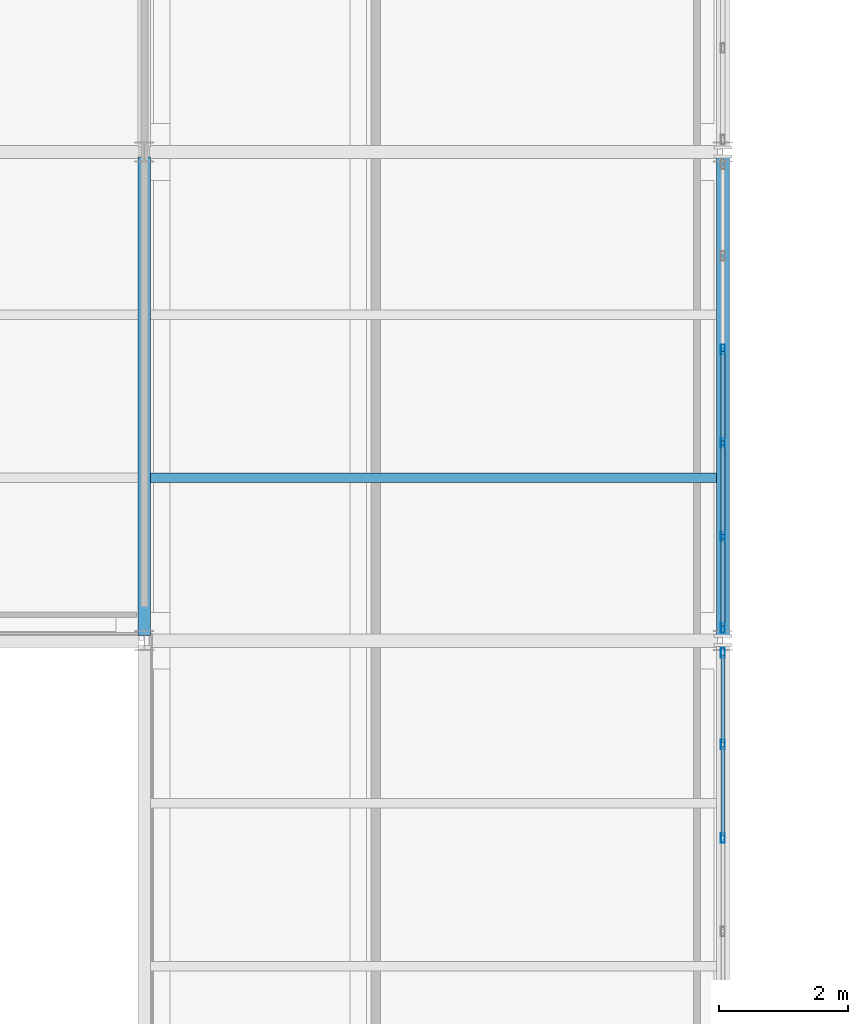
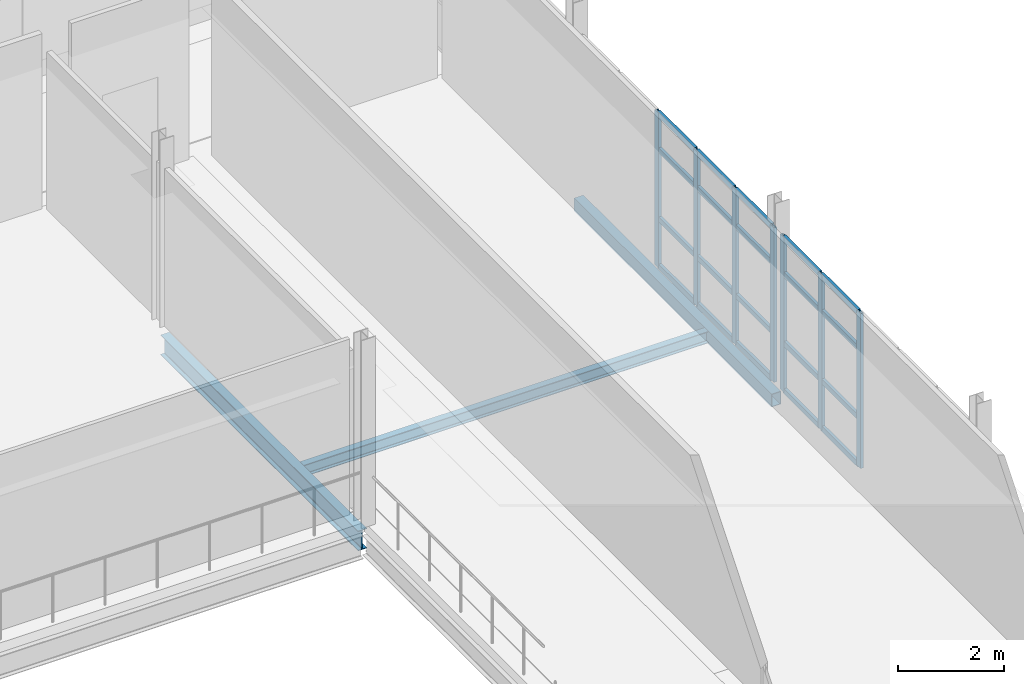
# One storey, part 118 of 166: 27 members, 3 beams, 2 elements without a shape of their own.
"""IFC4 building model written with IfcOpenShell, lengths in metres."""

from ifc_helpers import new_model, si_unit, direction, frame, origin, origin_2d, place, context, subcontext, project, spatial, hollow_rectangle, i_section, extrude, material, material_profile, profile_set, type_object, element, aggregate, save


model = new_model("IFC4")

# Units and contexts
model_context = context("Model", 3, precision=1e-05, world=origin(), true_north=direction((0.0, 1.0)))
body_context = subcontext(model_context, "Body", "Model", "MODEL_VIEW")
ifc_project = project(units=[si_unit("LENGTHUNIT", "METRE"), si_unit("AREAUNIT", "SQUARE_METRE"), si_unit("VOLUMEUNIT", "CUBIC_METRE"), si_unit("PLANEANGLEUNIT", "RADIAN"), si_unit("MASSUNIT", "GRAM", prefix="KILO")], contexts=[model_context])

# Site, building, storey
site_placement = place(None, origin())
site = spatial("IfcSite", under=ifc_project, at=site_placement, CompositionType="ELEMENT")
building_placement = place(site_placement, origin())
building = spatial("IfcBuilding", under=site, at=building_placement, Name="Caisbarro Railhouse Central Library", CompositionType="ELEMENT")
storey_placement = place(building_placement, frame((0.0, 0.0, 9.360107421875)))
storey = spatial("IfcBuildingStorey", under=building, at=storey_placement, Name="L02", CompositionType="ELEMENT", Elevation=9.360107421875)

# Beams
ifc_material_1 = material(Name="Steel ASTM A572 Grade 50", Category="steel")
ifc_material_profile_1 = material_profile(ifc_material_1, i_section(OverallWidth=0.18994140625, OverallDepth=0.45703125, WebThickness=0.009033203125, FlangeThickness=0.014404296875, FilletRadius=0.01806640625, at=origin_2d()), Name="W460X74.0")
ifc_profile_set_1 = profile_set([ifc_material_profile_1], Name="Steel ASTM A572 Grade 50")
beam_type_1 = type_object("IfcBeamType", Name="BM-G08", PredefinedType="BEAM", material=ifc_profile_set_1)
beam_1_placement = place(storey_placement, frame((144.0, 91.280029296875, -0.448486328125), z_axis=(0.0, 1.0, 0.0), x_axis=(-1.0, 0.0, 0.0)))
element("IfcBeam", 1, at=beam_1_placement, inside=storey, type_object=beam_type_1, Name="G08 beam L02 #1529", PredefinedType="BEAM", context=body_context, shape_type="SweptSolid", body=[
    extrude(i_section(OverallWidth=0.18994140625, OverallDepth=0.45703125, WebThickness=0.009033203125, FlangeThickness=0.014404296875, FilletRadius=0.01806640625, at=origin_2d()), origin(), (0.0, 0.0, 1.0), 7.43994140625),
])
ifc_material_profile_2 = material_profile(ifc_material_1, i_section(OverallWidth=0.14794921875, OverallDepth=0.26611328125, WebThickness=0.007568359375, FlangeThickness=0.012939453125, FilletRadius=0.010009765625, at=origin_2d()), Name="W250X44.8")
ifc_profile_set_2 = profile_set([ifc_material_profile_2], Name="Steel ASTM A572 Grade 50")
beam_type_2 = type_object("IfcBeamType", Name="BM-J04", PredefinedType="JOIST", material=ifc_profile_set_2)
beam_2_placement = place(storey_placement, frame((144.094970703125, 93.7333984375, -0.35302734375), z_axis=(1.0, 0.0, 0.0), x_axis=(0.0, 1.0, 0.0)))
element("IfcBeam", 2, at=beam_2_placement, inside=storey, type_object=beam_type_2, Name="J04 beam L02 #1577", PredefinedType="JOIST", context=body_context, shape_type="SweptSolid", body=[
    extrude(i_section(OverallWidth=0.14794921875, OverallDepth=0.26611328125, WebThickness=0.007568359375, FlangeThickness=0.012939453125, FilletRadius=0.010009765625, at=origin_2d()), origin(), (0.0, 0.0, 1.0), 8.804931640625),
])
ifc_material_profile_3 = material_profile(ifc_material_1, hollow_rectangle(XDim=0.199951171875, YDim=0.300048828125, WallThickness=0.012451171875, at=origin_2d()), Name="HSS300X200X12.5")
ifc_profile_set_3 = profile_set([ifc_material_profile_3], Name="Steel ASTM A572 Grade 50")
beam_type_3 = type_object("IfcBeamType", Name="BM-SP02", PredefinedType="SPANDREL", material=ifc_profile_set_3)
beam_3_placement = place(storey_placement, frame((153.0, 91.280029296875, -0.3701171875), z_axis=(0.0, 1.0, 0.0), x_axis=(-1.0, 0.0, 0.0)))
element("IfcBeam", 3, at=beam_3_placement, inside=storey, type_object=beam_type_3, Name="SP02 beam L02 #1536", PredefinedType="SPANDREL", context=body_context, shape_type="SweptSolid", body=[
    extrude(hollow_rectangle(XDim=0.199951171875, YDim=0.300048828125, WallThickness=0.012451171875, at=origin_2d()), origin(), (0.0, 0.0, 1.0), 7.43994140625),
])

# Curtain wall, members
ifc_material_2 = material(Name="Anodised architectural aluminium", Category="aluminium")
curtain_wall_type = type_object("IfcCurtainWallType", Name="CW-CW03", PredefinedType="NOTDEFINED", material=ifc_material_2)
curtain_wall_1_placement = place(storey_placement, origin())
curtain_wall_1 = element("IfcCurtainWall", 4, at=curtain_wall_1_placement, inside=storey, type_object=curtain_wall_type, Name="CW03 curtain wall L02 #139", PredefinedType="NOTDEFINED")
ifc_material_profile_4 = material_profile(ifc_material_2, hollow_rectangle(XDim=0.06494140625, YDim=0.14990234375, WallThickness=0.00390625, at=origin_2d()), Name="ALU-MUL-65X150")
ifc_profile_set_4 = profile_set([ifc_material_profile_4], Name="Anodised architectural aluminium")
member_type_1 = type_object("IfcMemberType", Name="CWM-M02", PredefinedType="MULLION", material=ifc_profile_set_4)
member_1_placement = place(storey_placement, frame((153.0, 88.1279296875, 0.0), z_axis=(0.0, 0.0, 1.0), x_axis=(-1.0, 0.0, 0.0)))
member_1 = element("IfcMember", 5, at=member_1_placement, type_object=member_type_1, Name="CW03 mullion 4", PredefinedType="MULLION", context=body_context, shape_type="SweptSolid", body=[
    extrude(hollow_rectangle(XDim=0.06494140625, YDim=0.14990234375, WallThickness=0.00390625, at=origin_2d()), origin(), (0.0, 0.0, 1.0), 3.559814453125),
])
member_2_placement = place(storey_placement, frame((153.0, 89.583984375, 0.0), z_axis=(0.0, 0.0, 1.0), x_axis=(-1.0, 0.0, 0.0)))
member_2 = element("IfcMember", 6, at=member_2_placement, type_object=member_type_1, Name="CW03 mullion 5", PredefinedType="MULLION", context=body_context, shape_type="SweptSolid", body=[
    extrude(hollow_rectangle(XDim=0.06494140625, YDim=0.14990234375, WallThickness=0.00390625, at=origin_2d()), origin(), (0.0, 0.0, 1.0), 3.559814453125),
])
member_3_placement = place(storey_placement, frame((153.0, 91.007568359375, 0.0), z_axis=(0.0, 0.0, 1.0), x_axis=(-1.0, 0.0, 0.0)))
member_3 = element("IfcMember", 7, at=member_3_placement, type_object=member_type_1, Name="CW03 mullion 6", PredefinedType="MULLION", context=body_context, shape_type="SweptSolid", body=[
    extrude(hollow_rectangle(XDim=0.06494140625, YDim=0.14990234375, WallThickness=0.00390625, at=origin_2d()), origin(), (0.0, 0.0, 1.0), 3.559814453125),
])

curtain_wall_2_placement = place(storey_placement, origin())
curtain_wall_2 = element("IfcCurtainWall", 8, at=curtain_wall_2_placement, inside=storey, type_object=curtain_wall_type, Name="CW03 curtain wall L02 #140", PredefinedType="NOTDEFINED")
member_4_placement = place(storey_placement, frame((153.0, 91.392578125, 0.0), z_axis=(0.0, 0.0, 1.0), x_axis=(-1.0, 0.0, 0.0)))
member_4 = element("IfcMember", 9, at=member_4_placement, type_object=member_type_1, Name="CW03 mullion 1", PredefinedType="MULLION", context=body_context, shape_type="SweptSolid", body=[
    extrude(hollow_rectangle(XDim=0.06494140625, YDim=0.14990234375, WallThickness=0.00390625, at=origin_2d()), origin(), (0.0, 0.0, 1.0), 3.559814453125),
])
member_5_placement = place(storey_placement, frame((153.0, 92.81591796875, 0.0), z_axis=(0.0, 0.0, 1.0), x_axis=(-1.0, 0.0, 0.0)))
member_5 = element("IfcMember", 10, at=member_5_placement, type_object=member_type_1, Name="CW03 mullion 2", PredefinedType="MULLION", context=body_context, shape_type="SweptSolid", body=[
    extrude(hollow_rectangle(XDim=0.06494140625, YDim=0.14990234375, WallThickness=0.00390625, at=origin_2d()), origin(), (0.0, 0.0, 1.0), 3.559814453125),
])
member_6_placement = place(storey_placement, frame((153.0, 94.27197265625, 0.0), z_axis=(0.0, 0.0, 1.0), x_axis=(-1.0, 0.0, 0.0)))
member_6 = element("IfcMember", 11, at=member_6_placement, type_object=member_type_1, Name="CW03 mullion 3", PredefinedType="MULLION", context=body_context, shape_type="SweptSolid", body=[
    extrude(hollow_rectangle(XDim=0.06494140625, YDim=0.14990234375, WallThickness=0.00390625, at=origin_2d()), origin(), (0.0, 0.0, 1.0), 3.559814453125),
])
member_7_placement = place(storey_placement, frame((153.0, 95.72802734375, 0.0), z_axis=(0.0, 0.0, 1.0), x_axis=(-1.0, 0.0, 0.0)))
member_7 = element("IfcMember", 12, at=member_7_placement, type_object=member_type_1, Name="CW03 mullion 4", PredefinedType="MULLION", context=body_context, shape_type="SweptSolid", body=[
    extrude(hollow_rectangle(XDim=0.06494140625, YDim=0.14990234375, WallThickness=0.00390625, at=origin_2d()), origin(), (0.0, 0.0, 1.0), 3.559814453125),
])

# Member
ifc_material_profile_5 = material_profile(ifc_material_2, hollow_rectangle(XDim=0.06494140625, YDim=0.1201171875, WallThickness=0.00341796875, at=origin_2d()), Name="ALU-TRN-65X120")
ifc_profile_set_5 = profile_set([ifc_material_profile_5], Name="Anodised architectural aluminium")
member_type_2 = type_object("IfcMemberType", Name="CWT-T02", PredefinedType="USERDEFINED", material=ifc_profile_set_5)
member_8_placement = place(storey_placement, frame((153.0, 88.160400390625, 0.032470703125), z_axis=(0.0, 1.0, 0.0), x_axis=(-1.0, 0.0, 0.0)))
member_8 = element("IfcMember", 13, at=member_8_placement, type_object=member_type_2, Name="CW03 transom 4.1", ObjectType="TRANSOM", PredefinedType="USERDEFINED", context=body_context, shape_type="SweptSolid", body=[
    extrude(hollow_rectangle(XDim=0.06494140625, YDim=0.1201171875, WallThickness=0.00341796875, at=origin_2d()), origin(), (0.0, 0.0, 1.0), 1.39111328125),
])

member_9_placement = place(storey_placement, frame((153.0, 88.160400390625, 1.119873046875), z_axis=(0.0, 1.0, 0.0), x_axis=(-1.0, 0.0, 0.0)))
member_9 = element("IfcMember", 14, at=member_9_placement, type_object=member_type_2, Name="CW03 transom 4.2", ObjectType="TRANSOM", PredefinedType="USERDEFINED", context=body_context, shape_type="SweptSolid", body=[
    extrude(hollow_rectangle(XDim=0.06494140625, YDim=0.1201171875, WallThickness=0.00341796875, at=origin_2d()), origin(), (0.0, 0.0, 1.0), 1.39111328125),
])

member_10_placement = place(storey_placement, frame((153.0, 88.160400390625, 2.7099609375), z_axis=(0.0, 1.0, 0.0), x_axis=(-1.0, 0.0, 0.0)))
member_10 = element("IfcMember", 15, at=member_10_placement, type_object=member_type_2, Name="CW03 transom 4.3", ObjectType="TRANSOM", PredefinedType="USERDEFINED", context=body_context, shape_type="SweptSolid", body=[
    extrude(hollow_rectangle(XDim=0.06494140625, YDim=0.1201171875, WallThickness=0.00341796875, at=origin_2d()), origin(), (0.0, 0.0, 1.0), 1.39111328125),
])

member_11_placement = place(storey_placement, frame((153.0, 88.160400390625, 3.52734375), z_axis=(0.0, 1.0, 0.0), x_axis=(-1.0, 0.0, 0.0)))
member_11 = element("IfcMember", 16, at=member_11_placement, type_object=member_type_2, Name="CW03 transom 4.4", ObjectType="TRANSOM", PredefinedType="USERDEFINED", context=body_context, shape_type="SweptSolid", body=[
    extrude(hollow_rectangle(XDim=0.06494140625, YDim=0.1201171875, WallThickness=0.00341796875, at=origin_2d()), origin(), (0.0, 0.0, 1.0), 1.39111328125),
])

member_12_placement = place(storey_placement, frame((153.0, 89.616455078125, 0.032470703125), z_axis=(0.0, 1.0, 0.0), x_axis=(-1.0, 0.0, 0.0)))
member_12 = element("IfcMember", 17, at=member_12_placement, type_object=member_type_2, Name="CW03 transom 5.1", ObjectType="TRANSOM", PredefinedType="USERDEFINED", context=body_context, shape_type="SweptSolid", body=[
    extrude(hollow_rectangle(XDim=0.06494140625, YDim=0.1201171875, WallThickness=0.00341796875, at=origin_2d()), origin(), (0.0, 0.0, 1.0), 1.358642578125),
])

member_13_placement = place(storey_placement, frame((153.0, 89.616455078125, 1.119873046875), z_axis=(0.0, 1.0, 0.0), x_axis=(-1.0, 0.0, 0.0)))
member_13 = element("IfcMember", 18, at=member_13_placement, type_object=member_type_2, Name="CW03 transom 5.2", ObjectType="TRANSOM", PredefinedType="USERDEFINED", context=body_context, shape_type="SweptSolid", body=[
    extrude(hollow_rectangle(XDim=0.06494140625, YDim=0.1201171875, WallThickness=0.00341796875, at=origin_2d()), origin(), (0.0, 0.0, 1.0), 1.358642578125),
])

member_14_placement = place(storey_placement, frame((153.0, 89.616455078125, 2.7099609375), z_axis=(0.0, 1.0, 0.0), x_axis=(-1.0, 0.0, 0.0)))
member_14 = element("IfcMember", 19, at=member_14_placement, type_object=member_type_2, Name="CW03 transom 5.3", ObjectType="TRANSOM", PredefinedType="USERDEFINED", context=body_context, shape_type="SweptSolid", body=[
    extrude(hollow_rectangle(XDim=0.06494140625, YDim=0.1201171875, WallThickness=0.00341796875, at=origin_2d()), origin(), (0.0, 0.0, 1.0), 1.358642578125),
])

member_15_placement = place(storey_placement, frame((153.0, 89.616455078125, 3.52734375), z_axis=(0.0, 1.0, 0.0), x_axis=(-1.0, 0.0, 0.0)))
member_15 = element("IfcMember", 20, at=member_15_placement, type_object=member_type_2, Name="CW03 transom 5.4", ObjectType="TRANSOM", PredefinedType="USERDEFINED", context=body_context, shape_type="SweptSolid", body=[
    extrude(hollow_rectangle(XDim=0.06494140625, YDim=0.1201171875, WallThickness=0.00341796875, at=origin_2d()), origin(), (0.0, 0.0, 1.0), 1.358642578125),
])

aggregate(curtain_wall_1, [member_1, member_2, member_3, member_8, member_9, member_10, member_11, member_12, member_13, member_14, member_15])

member_16_placement = place(storey_placement, frame((153.0, 91.425048828125, 0.032470703125), z_axis=(0.0, 1.0, 0.0), x_axis=(-1.0, 0.0, 0.0)))
member_16 = element("IfcMember", 21, at=member_16_placement, type_object=member_type_2, Name="CW03 transom 1.1", ObjectType="TRANSOM", PredefinedType="USERDEFINED", context=body_context, shape_type="SweptSolid", body=[
    extrude(hollow_rectangle(XDim=0.06494140625, YDim=0.1201171875, WallThickness=0.00341796875, at=origin_2d()), origin(), (0.0, 0.0, 1.0), 1.3583984375),
])

member_17_placement = place(storey_placement, frame((153.0, 91.425048828125, 1.119873046875), z_axis=(0.0, 1.0, 0.0), x_axis=(-1.0, 0.0, 0.0)))
member_17 = element("IfcMember", 22, at=member_17_placement, type_object=member_type_2, Name="CW03 transom 1.2", ObjectType="TRANSOM", PredefinedType="USERDEFINED", context=body_context, shape_type="SweptSolid", body=[
    extrude(hollow_rectangle(XDim=0.06494140625, YDim=0.1201171875, WallThickness=0.00341796875, at=origin_2d()), origin(), (0.0, 0.0, 1.0), 1.3583984375),
])

member_18_placement = place(storey_placement, frame((153.0, 91.425048828125, 2.7099609375), z_axis=(0.0, 1.0, 0.0), x_axis=(-1.0, 0.0, 0.0)))
member_18 = element("IfcMember", 23, at=member_18_placement, type_object=member_type_2, Name="CW03 transom 1.3", ObjectType="TRANSOM", PredefinedType="USERDEFINED", context=body_context, shape_type="SweptSolid", body=[
    extrude(hollow_rectangle(XDim=0.06494140625, YDim=0.1201171875, WallThickness=0.00341796875, at=origin_2d()), origin(), (0.0, 0.0, 1.0), 1.3583984375),
])

member_19_placement = place(storey_placement, frame((153.0, 91.425048828125, 3.52734375), z_axis=(0.0, 1.0, 0.0), x_axis=(-1.0, 0.0, 0.0)))
member_19 = element("IfcMember", 24, at=member_19_placement, type_object=member_type_2, Name="CW03 transom 1.4", ObjectType="TRANSOM", PredefinedType="USERDEFINED", context=body_context, shape_type="SweptSolid", body=[
    extrude(hollow_rectangle(XDim=0.06494140625, YDim=0.1201171875, WallThickness=0.00341796875, at=origin_2d()), origin(), (0.0, 0.0, 1.0), 1.3583984375),
])

member_20_placement = place(storey_placement, frame((153.0, 92.848388671875, 0.032470703125), z_axis=(0.0, 1.0, 0.0), x_axis=(-1.0, 0.0, 0.0)))
member_20 = element("IfcMember", 25, at=member_20_placement, type_object=member_type_2, Name="CW03 transom 2.1", ObjectType="TRANSOM", PredefinedType="USERDEFINED", context=body_context, shape_type="SweptSolid", body=[
    extrude(hollow_rectangle(XDim=0.06494140625, YDim=0.1201171875, WallThickness=0.00341796875, at=origin_2d()), origin(), (0.0, 0.0, 1.0), 1.39111328125),
])

member_21_placement = place(storey_placement, frame((153.0, 92.848388671875, 1.119873046875), z_axis=(0.0, 1.0, 0.0), x_axis=(-1.0, 0.0, 0.0)))
member_21 = element("IfcMember", 26, at=member_21_placement, type_object=member_type_2, Name="CW03 transom 2.2", ObjectType="TRANSOM", PredefinedType="USERDEFINED", context=body_context, shape_type="SweptSolid", body=[
    extrude(hollow_rectangle(XDim=0.06494140625, YDim=0.1201171875, WallThickness=0.00341796875, at=origin_2d()), origin(), (0.0, 0.0, 1.0), 1.39111328125),
])

member_22_placement = place(storey_placement, frame((153.0, 92.848388671875, 2.7099609375), z_axis=(0.0, 1.0, 0.0), x_axis=(-1.0, 0.0, 0.0)))
member_22 = element("IfcMember", 27, at=member_22_placement, type_object=member_type_2, Name="CW03 transom 2.3", ObjectType="TRANSOM", PredefinedType="USERDEFINED", context=body_context, shape_type="SweptSolid", body=[
    extrude(hollow_rectangle(XDim=0.06494140625, YDim=0.1201171875, WallThickness=0.00341796875, at=origin_2d()), origin(), (0.0, 0.0, 1.0), 1.39111328125),
])

member_23_placement = place(storey_placement, frame((153.0, 92.848388671875, 3.52734375), z_axis=(0.0, 1.0, 0.0), x_axis=(-1.0, 0.0, 0.0)))
member_23 = element("IfcMember", 28, at=member_23_placement, type_object=member_type_2, Name="CW03 transom 2.4", ObjectType="TRANSOM", PredefinedType="USERDEFINED", context=body_context, shape_type="SweptSolid", body=[
    extrude(hollow_rectangle(XDim=0.06494140625, YDim=0.1201171875, WallThickness=0.00341796875, at=origin_2d()), origin(), (0.0, 0.0, 1.0), 1.39111328125),
])

member_24_placement = place(storey_placement, frame((153.0, 94.304443359375, 0.032470703125), z_axis=(0.0, 1.0, 0.0), x_axis=(-1.0, 0.0, 0.0)))
member_24 = element("IfcMember", 29, at=member_24_placement, type_object=member_type_2, Name="CW03 transom 3.1", ObjectType="TRANSOM", PredefinedType="USERDEFINED", context=body_context, shape_type="SweptSolid", body=[
    extrude(hollow_rectangle(XDim=0.06494140625, YDim=0.1201171875, WallThickness=0.00341796875, at=origin_2d()), origin(), (0.0, 0.0, 1.0), 1.39111328125),
])

member_25_placement = place(storey_placement, frame((153.0, 94.304443359375, 1.119873046875), z_axis=(0.0, 1.0, 0.0), x_axis=(-1.0, 0.0, 0.0)))
member_25 = element("IfcMember", 30, at=member_25_placement, type_object=member_type_2, Name="CW03 transom 3.2", ObjectType="TRANSOM", PredefinedType="USERDEFINED", context=body_context, shape_type="SweptSolid", body=[
    extrude(hollow_rectangle(XDim=0.06494140625, YDim=0.1201171875, WallThickness=0.00341796875, at=origin_2d()), origin(), (0.0, 0.0, 1.0), 1.39111328125),
])

member_26_placement = place(storey_placement, frame((153.0, 94.304443359375, 2.7099609375), z_axis=(0.0, 1.0, 0.0), x_axis=(-1.0, 0.0, 0.0)))
member_26 = element("IfcMember", 31, at=member_26_placement, type_object=member_type_2, Name="CW03 transom 3.3", ObjectType="TRANSOM", PredefinedType="USERDEFINED", context=body_context, shape_type="SweptSolid", body=[
    extrude(hollow_rectangle(XDim=0.06494140625, YDim=0.1201171875, WallThickness=0.00341796875, at=origin_2d()), origin(), (0.0, 0.0, 1.0), 1.39111328125),
])

member_27_placement = place(storey_placement, frame((153.0, 94.304443359375, 3.52734375), z_axis=(0.0, 1.0, 0.0), x_axis=(-1.0, 0.0, 0.0)))
member_27 = element("IfcMember", 32, at=member_27_placement, type_object=member_type_2, Name="CW03 transom 3.4", ObjectType="TRANSOM", PredefinedType="USERDEFINED", context=body_context, shape_type="SweptSolid", body=[
    extrude(hollow_rectangle(XDim=0.06494140625, YDim=0.1201171875, WallThickness=0.00341796875, at=origin_2d()), origin(), (0.0, 0.0, 1.0), 1.39111328125),
])

aggregate(curtain_wall_2, [member_4, member_5, member_6, member_7, member_16, member_17, member_18, member_19, member_20, member_21, member_22, member_23, member_24, member_25, member_26, member_27])

save(model, "model.ifc")
